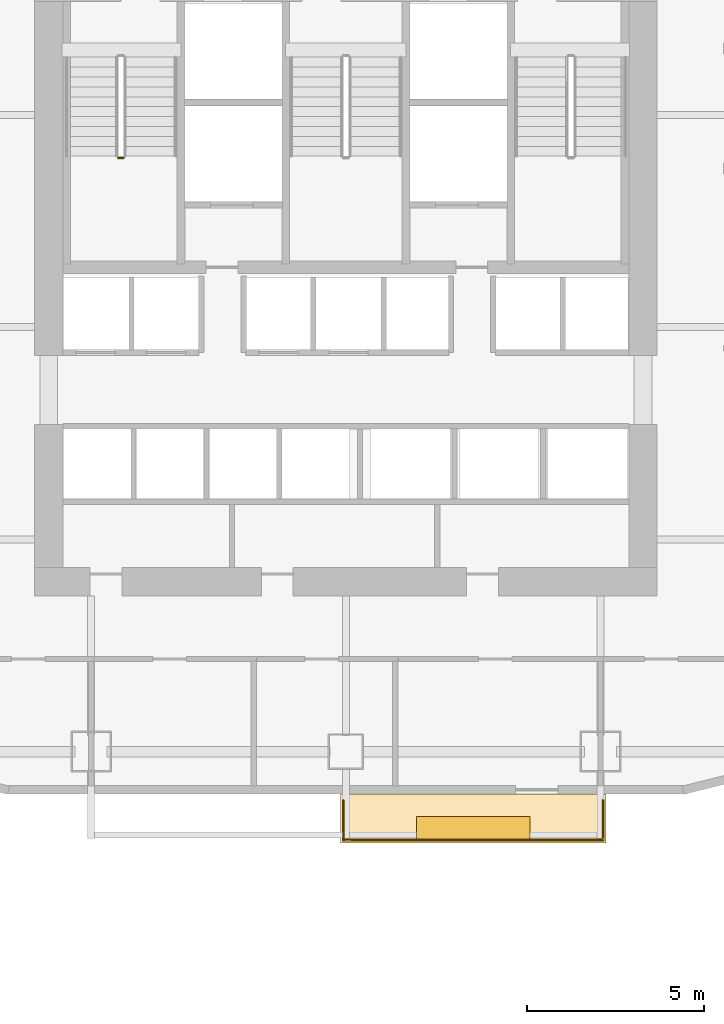
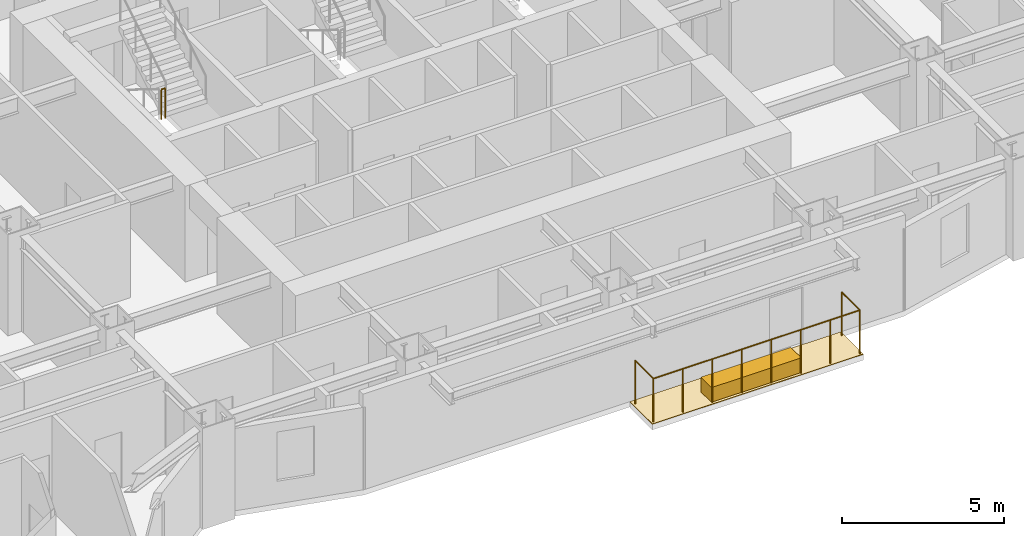
# One storey, part 13 of 16: 3 railings, 2 coverings.
"""IFC4 building model written with IfcOpenShell, lengths in metres."""

from ifc_helpers import new_model, si_unit, direction, frame, origin, origin_2d, place, context, subcontext, project, spatial, polyline, rectangle, circle, outline, extrude, material, layer, layer_set, type_object, element, save


model = new_model("IFC4")

# Units and contexts
model_context = context("Model", 3, precision=1e-05, world=origin(), true_north=direction((0.0, 1.0)))
body_context = subcontext(model_context, "Body", "Model", "MODEL_VIEW")
ifc_project = project(units=[si_unit("LENGTHUNIT", "METRE"), si_unit("AREAUNIT", "SQUARE_METRE"), si_unit("VOLUMEUNIT", "CUBIC_METRE"), si_unit("PLANEANGLEUNIT", "RADIAN"), si_unit("MASSUNIT", "GRAM", prefix="KILO")], contexts=[model_context])

# Site, building, storey
site_placement = place(None, origin())
site = spatial("IfcSite", under=ifc_project, at=site_placement, CompositionType="ELEMENT")
building_placement = place(site_placement, origin())
building = spatial("IfcBuilding", under=site, at=building_placement, Name="Haolan Belvedere Tower", CompositionType="ELEMENT")
storey_placement = place(building_placement, frame((0.0, 0.0, 47.60009765625)))
storey = spatial("IfcBuildingStorey", under=building, at=storey_placement, Name="L11", CompositionType="ELEMENT", Elevation=47.60009765625)

# Coverings
ifc_material_1 = material(Name="Engineered lightweight planted garden soil substrate", Category="masonry")
ifc_layer_1 = layer(ifc_material_1, 0.550048828125, Name="Engineered lightweight planted garden soil substrate")
ifc_layer_set_1 = layer_set([ifc_layer_1], Name="Engineered lightweight planted garden soil substrate")
covering_type_1 = type_object("IfcCoveringType", Name="COV-PLANT-550", PredefinedType="MEMBRANE", material=ifc_layer_set_1)
covering_1_placement = place(storey_placement, frame((42.0, 19.43994140625, 0.0), z_axis=(0.0, 0.0, 1.0), x_axis=(1.0, 0.0, 0.0)))
element("IfcCovering", 1, at=covering_1_placement, inside=storey, type_object=covering_type_1, Name="L11 structural tree balcony PLANTER box 1", PredefinedType="MEMBRANE", context=body_context, shape_type="SweptSolid", body=[
    extrude(rectangle(XDim=3.199951171875, YDim=0.64990234375, at=origin_2d()), origin(), (0.0, 0.0, 1.0), 0.550048828125),
])
ifc_material_2 = material(Name="Elastomeric waterproof roofing membrane and stone pavers", Category="masonry")
ifc_layer_2 = layer(ifc_material_2, 0.02001953125, Name="Elastomeric waterproof roofing membrane and stone pavers")
ifc_layer_set_2 = layer_set([ifc_layer_2], Name="Elastomeric waterproof roofing membrane and stone pavers")
covering_type_2 = type_object("IfcCoveringType", Name="COV-ROOF-20", PredefinedType="ROOFING", material=ifc_layer_set_2)
covering_2_placement = place(storey_placement, frame((0.0, 0.0, -0.02001953125)))
element("IfcCovering", 2, at=covering_2_placement, inside=storey, type_object=covering_type_2, Name="L11 tree-balcony waterproof membrane 1", PredefinedType="ROOFING", context=body_context, shape_type="SweptSolid", body=[
    extrude(outline(polyline([(38.25, 19.02001953125), (45.75, 19.02001953125), (45.75, 20.39990234375), (38.25, 20.39990234375), (38.25, 19.02001953125)])), origin(), (0.0, 0.0, 1.0), 0.02001953125),
])

# Railings
ifc_material_3 = material(Name="Brushed stainless steel 304", Category="steel")
railing_type_1 = type_object("IfcRailingType", Name="RL-STAIR-GRD-1150", PredefinedType="GUARDRAIL", material=ifc_material_3)
railing_1_placement = place(storey_placement, frame((31.969970703125, 38.3798828125, 1.89990234375)))
element("IfcRailing", 3, at=railing_1_placement, inside=storey, type_object=railing_type_1, Name="L11 ST1 stair guard 2", PredefinedType="GUARDRAIL", context=body_context, shape_type="SweptSolid", body=[
    extrude(circle(Radius=0.02392578125, at=origin_2d()), frame((0.0, 0.0, 1.1259765625), z_axis=(1.0, 0.0, 0.0), x_axis=(0.0, 1.0, 0.0)), (0.0, 0.0, 1.0), 0.14013671875),
    extrude(circle(Radius=0.02099609375, at=origin_2d()), origin(), (0.0, 0.0, 1.0), 1.101806640625),
    extrude(circle(Radius=0.02099609375, at=origin_2d()), frame((0.14013671875, 0.0, 0.0)), (0.0, 0.0, 1.0), 1.101806640625),
])
ifc_material_4 = material(Name="Anodised aluminium and laminated glass balustrade", Category="aluminium")
railing_type_2 = type_object("IfcRailingType", Name="RL-TER-BAL-1150", PredefinedType="BALUSTRADE", material=ifc_material_4)
railing_2_placement = place(storey_placement, frame((38.330078125, 19.10009765625, 0.0)))
element("IfcRailing", 4, at=railing_2_placement, inside=storey, type_object=railing_type_2, Name="L11 outdoor perimeter balustrade BAL-L11-1-1", PredefinedType="BALUSTRADE", context=body_context, shape_type="SweptSolid", body=[
    extrude(circle(Radius=0.02392578125, at=origin_2d()), frame((0.0, 0.0, 1.6259765625), z_axis=(0.0, 1.0, 0.0), x_axis=(-1.0, 0.0, 0.0)), (0.0, 0.0, 1.0), 1.119873046875),
    extrude(circle(Radius=0.02099609375, at=origin_2d()), origin(), (0.0, 0.0, 1.0), 1.601806640625),
    extrude(circle(Radius=0.02099609375, at=origin_2d()), frame((0.0, 1.119873046875, 0.0)), (0.0, 0.0, 1.0), 1.601806640625),
])
railing_3_placement = place(storey_placement, frame((45.669921875, 20.219970703125, 0.0)))
element("IfcRailing", 5, at=railing_3_placement, inside=storey, type_object=railing_type_2, Name="L11 outdoor perimeter balustrade BAL-L11-1-2", PredefinedType="BALUSTRADE", context=body_context, shape_type="SweptSolid", body=[
    extrude(circle(Radius=0.02392578125, at=origin_2d()), frame((0.0, 0.0, 1.6259765625), z_axis=(0.0, -1.0, 0.0), x_axis=(1.0, 0.0, 0.0)), (0.0, 0.0, 1.0), 1.119873046875),
    extrude(circle(Radius=0.02392578125, at=origin_2d()), frame((0.0, -1.119873046875, 1.6259765625), z_axis=(-1.0, 0.0, 0.0), x_axis=(0.0, -1.0, 0.0)), (0.0, 0.0, 1.0), 7.33984375),
    extrude(circle(Radius=0.02099609375, at=origin_2d()), origin(), (0.0, 0.0, 1.0), 1.601806640625),
    extrude(circle(Radius=0.02099609375, at=origin_2d()), frame((0.0, -1.119873046875, 0.0)), (0.0, 0.0, 1.0), 1.601806640625),
    extrude(circle(Radius=0.02099609375, at=origin_2d()), frame((-1.048583984375, -1.119873046875, 0.0)), (0.0, 0.0, 1.0), 1.601806640625),
    extrude(circle(Radius=0.02099609375, at=origin_2d()), frame((-2.09716796875, -1.119873046875, 0.0)), (0.0, 0.0, 1.0), 1.601806640625),
    extrude(circle(Radius=0.02099609375, at=origin_2d()), frame((-3.145751953125, -1.119873046875, 0.0)), (0.0, 0.0, 1.0), 1.601806640625),
    extrude(circle(Radius=0.02099609375, at=origin_2d()), frame((-4.194091796875, -1.119873046875, 0.0)), (0.0, 0.0, 1.0), 1.601806640625),
    extrude(circle(Radius=0.02099609375, at=origin_2d()), frame((-5.24267578125, -1.119873046875, 0.0)), (0.0, 0.0, 1.0), 1.601806640625),
    extrude(circle(Radius=0.02099609375, at=origin_2d()), frame((-6.291259765625, -1.119873046875, 0.0)), (0.0, 0.0, 1.0), 1.601806640625),
    extrude(circle(Radius=0.02099609375, at=origin_2d()), frame((-7.33984375, -1.119873046875, 0.0)), (0.0, 0.0, 1.0), 1.601806640625),
])

save(model, "model.ifc")
